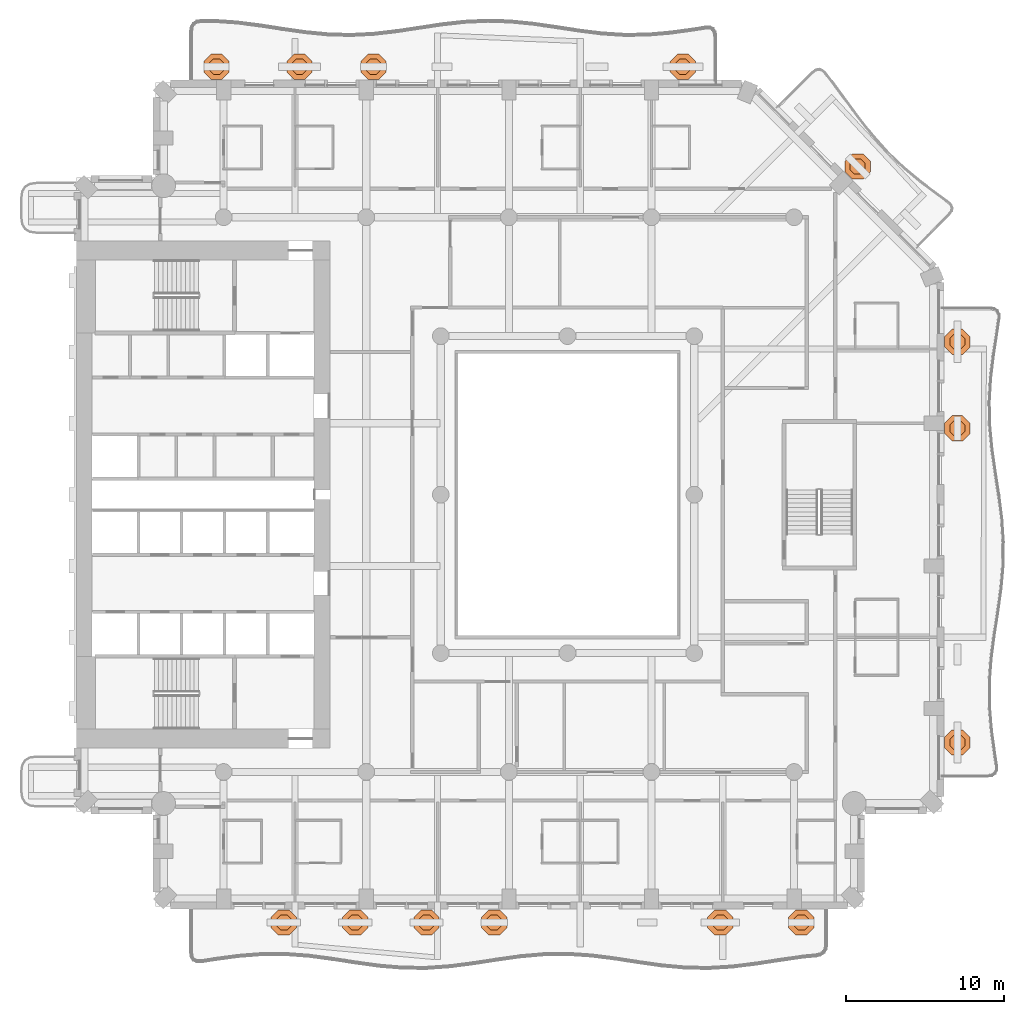
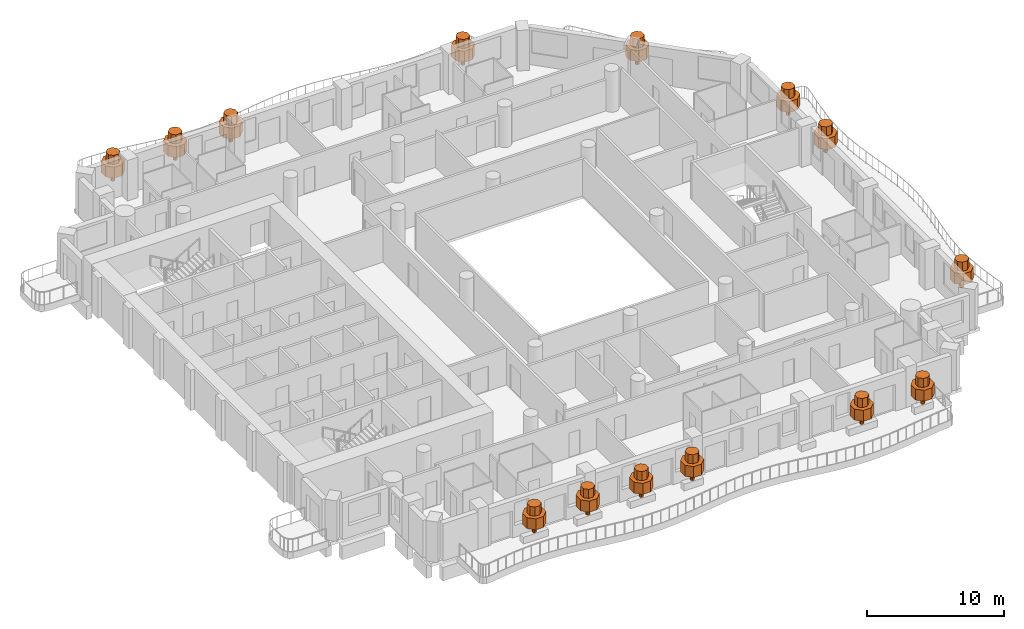
# One storey, part 20 of 20: 14 geographic elements.
"""IFC4 building model written with IfcOpenShell, lengths in metres."""

from ifc_helpers import new_model, si_unit, direction, frame, origin, place, context, subcontext, project, spatial, polyline, outline, extrude, material, type_object, element, save


model = new_model("IFC4")

# Units and contexts
model_context = context("Model", 3, precision=1e-05, world=origin(), true_north=direction((0.0, 1.0)))
body_context = subcontext(model_context, "Body", "Model", "MODEL_VIEW")
ifc_project = project(units=[si_unit("LENGTHUNIT", "METRE"), si_unit("AREAUNIT", "SQUARE_METRE"), si_unit("VOLUMEUNIT", "CUBIC_METRE"), si_unit("PLANEANGLEUNIT", "RADIAN"), si_unit("MASSUNIT", "GRAM", prefix="KILO")], contexts=[model_context])

# Site, building, storey
site_placement = place(None, origin())
site = spatial("IfcSite", under=ifc_project, at=site_placement, CompositionType="ELEMENT")
building_placement = place(site_placement, origin())
building = spatial("IfcBuilding", under=site, at=building_placement, Name="Cypress Arch Tower", CompositionType="ELEMENT")
storey_placement = place(building_placement, frame((0.0, 0.0, 123.89990234375)))
storey = spatial("IfcBuildingStorey", under=building, at=storey_placement, Name="L26", CompositionType="ELEMENT", Elevation=123.89990234375)

# Geographic elements
ifc_material = material(Name="Foliage and planting")
geographic_element_type = type_object("IfcGeographicElementType", Name="Balcony tree TR", PredefinedType="USERDEFINED", material=ifc_material)
for number, where, z_axis, x_axis, name in (
    (1, (-16.89990234375, -27.0, 0.60009765625), (0.0, 0.0, 1.0), (1.0, 0.0, 0.0), "Balcony tree L26-A03.1"),
    (2, (-12.39990234375, -27.0, 0.60009765625), (0.0, 0.0, 1.0), (1.0, 0.0, 0.0), "Balcony tree L26-A03.2"),
    (3, (-7.89990234375, -27.0, 0.60009765625), (0.0, 0.0, 1.0), (1.0, 0.0, 0.0), "Balcony tree L26-A03.3"),
    (4, (-3.625, -27.0, 0.60009765625), (0.0, 0.0, 1.0), (1.0, 0.0, 0.0), "Balcony tree L26-A03.4"),
    (5, (10.639892578125, -27.0, 0.60009765625), (0.0, 0.0, 1.0), (1.0, 0.0, 0.0), "Balcony tree L26-A03.6"),
    (6, (15.75, -27.0, 0.60009765625), (0.0, 0.0, 1.0), (1.0, 0.0, 0.0), "Balcony tree L26-A03.7"),
    (7, (25.60009765625, -15.642822265625, 0.60009765625), (0.0, 0.0, 1.0), (1.0, 0.0, 0.0), "Balcony tree L26-A06.1"),
    (8, (25.60009765625, 4.1826171875, 0.60009765625), (0.0, 0.0, 1.0), (1.0, 0.0, 0.0), "Balcony tree L26-A06.3"),
    (9, (25.60009765625, 9.642822265625, 0.60009765625), (0.0, 0.0, 1.0), (1.0, 0.0, 0.0), "Balcony tree L26-A06.4"),
    (10, (19.30712890625, 20.70703125, 0.60009765625), (0.0, 0.0, 1.0), (1.0, 0.0, 0.0), "Balcony tree L26-A07.2"),
    (11, (8.28125, 27.0, 0.60009765625), (0.0, 0.0, 1.0), (1.0, 0.0, 0.0), "Balcony tree L26-A08.1"),
    (12, (-11.24365234375, 27.0, 0.60009765625), (0.0, 0.0, 1.0), (1.0, 0.0, 0.0), "Balcony tree L26-A08.4"),
    (13, (-15.91259765625, 27.0, 0.60009765625), (0.0, 0.0, 1.0), (1.0, 0.0, 0.0), "Balcony tree L26-A08.5"),
    (14, (-21.14990234375, 27.0, 0.60009765625), (0.0, 0.0, 1.0), (1.0, 0.0, 0.0), "Balcony tree L26-A08.6"),
):
    element("IfcGeographicElement", number, at=place(storey_placement, frame(where, z_axis=z_axis, x_axis=x_axis)), inside=storey, type_object=geographic_element_type, Name=name, ObjectType="TREE", PredefinedType="USERDEFINED", context=body_context, shape_type="SweptSolid", body=[
        extrude(outline(polyline([(0.14990234375, 0.06201171875), (0.06201171875, 0.14990234375), (-0.06201171875, 0.14990234375), (-0.14990234375, 0.06201171875), (-0.14990234375, -0.06201171875), (-0.06201171875, -0.14990234375), (0.06201171875, -0.14990234375), (0.14990234375, -0.06201171875), (0.14990234375, 0.06201171875)])), origin(), (0.0, 0.0, 1.0), 0.864990234375),
        extrude(outline(polyline([(0.800048828125, 0.331298828125), (0.331298828125, 0.800048828125), (-0.331298828125, 0.800048828125), (-0.800048828125, 0.331298828125), (-0.800048828125, -0.331298828125), (-0.331298828125, -0.800048828125), (0.331298828125, -0.800048828125), (0.800048828125, -0.331298828125), (0.800048828125, 0.331298828125)])), frame((0.0, 0.0, 0.764892578125)), (0.0, 0.0, 1.0), 0.981689453125),
        extrude(outline(polyline([(0.47998046875, 0.19873046875), (0.19873046875, 0.47998046875), (-0.19873046875, 0.47998046875), (-0.47998046875, 0.19873046875), (-0.47998046875, -0.19873046875), (-0.19873046875, -0.47998046875), (0.19873046875, -0.47998046875), (0.47998046875, -0.19873046875), (0.47998046875, 0.19873046875)])), frame((0.0, 0.0, 1.746826171875)), (0.0, 0.0, 1.0), 0.80322265625),
    ])

save(model, "model.ifc")
